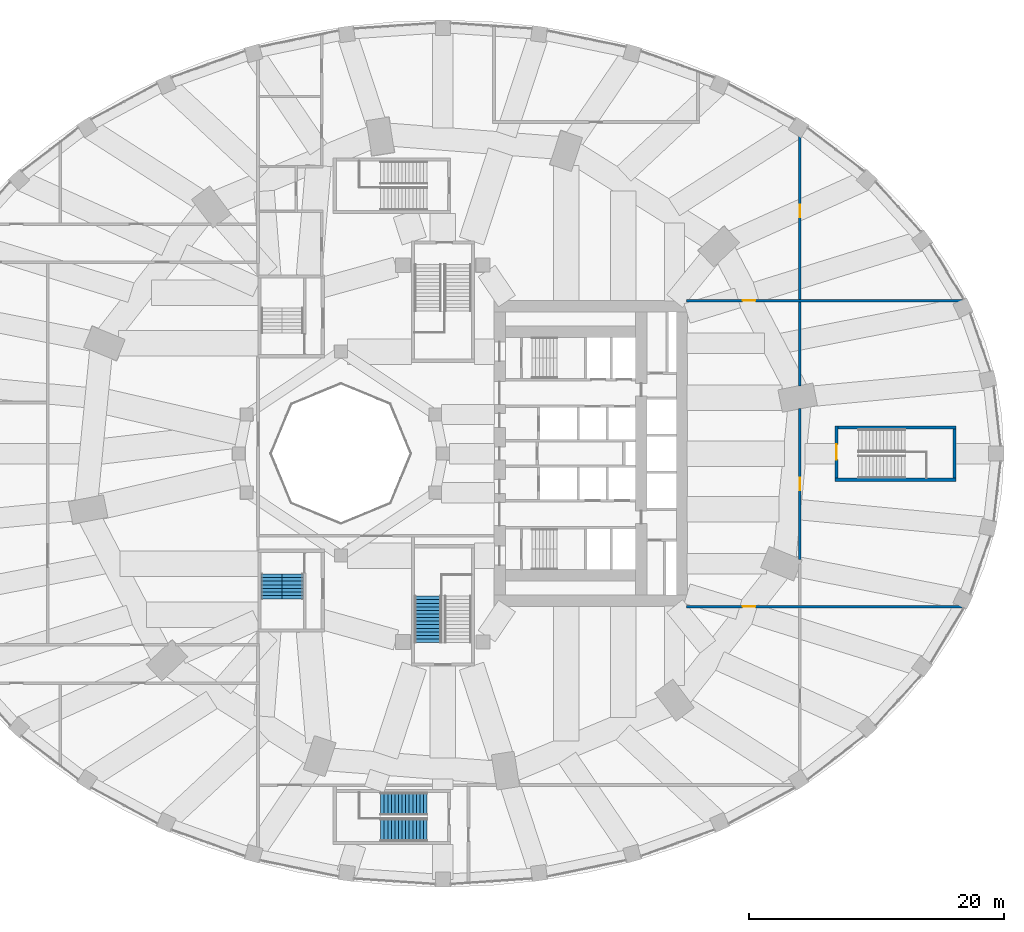
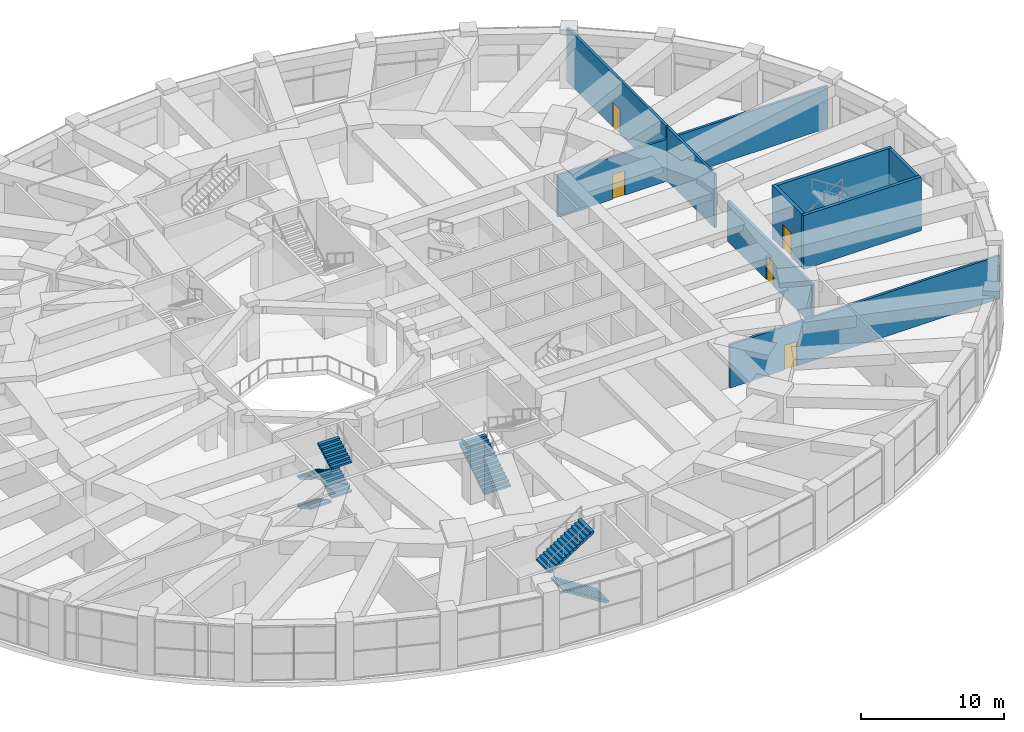
# One storey, part 25 of 32: 9 walls, 7 stair flights, 5 doors, 5 openings, 3 elements without a shape of their own.
"""IFC4 building model written with IfcOpenShell, lengths in metres."""

from ifc_helpers import new_model, si_unit, direction, frame, frame_2d, origin, place, context, subcontext, project, spatial, polyline, rectangle, outline, extrude, material, layer, layer_set, type_object, element, fill, aggregate, save


model = new_model("IFC4")

# Units and contexts
model_context = context("Model", 3, precision=1e-05, world=origin(), true_north=direction((0.0, 1.0)))
body_context = subcontext(model_context, "Body", "Model", "MODEL_VIEW")
ifc_project = project(units=[si_unit("LENGTHUNIT", "METRE"), si_unit("AREAUNIT", "SQUARE_METRE"), si_unit("VOLUMEUNIT", "CUBIC_METRE"), si_unit("PLANEANGLEUNIT", "RADIAN"), si_unit("MASSUNIT", "GRAM", prefix="KILO")], contexts=[model_context])

# Site, building, storey
site_placement = place(None, origin())
site = spatial("IfcSite", under=ifc_project, at=site_placement, CompositionType="ELEMENT")
building_placement = place(site_placement, origin())
building = spatial("IfcBuilding", under=site, at=building_placement, Name="Taillehof Tower", CompositionType="ELEMENT")
storey_placement = place(building_placement, frame((0.0, 0.0, 7.5)))
storey = spatial("IfcBuildingStorey", under=building, at=storey_placement, Name="L01", CompositionType="ELEMENT", Elevation=7.5)

# Wall, opening, door
ifc_material_1 = material(Name="Calcium silicate blockwork", Category="masonry")
ifc_layer_1 = layer(ifc_material_1, 0.199951171875)
ifc_layer_set_1 = layer_set([ifc_layer_1], Name="Compartment wall EI 60 200 mm")
wall_type_1 = type_object("IfcWallType", Name="Compartment wall EI 60 200 mm", PredefinedType="PARTITIONING", material=ifc_layer_set_1)
wall_1_placement = place(storey_placement, frame((19.10009765625, -12.0, 0.0), z_axis=(0.0, 0.0, 1.0), x_axis=(1.0, 0.0, 0.0)))
wall_1 = element("IfcWall", 1, at=wall_1_placement, inside=storey, type_object=wall_type_1, Name="Wall L01-10 / L01-17", PredefinedType="PARTITIONING", context=body_context, shape_type="SweptSolid", body=[
    extrude(rectangle(XDim=21.766845703125, YDim=0.199951171875, at=frame_2d((10.88330078125, 0.0))), origin(), (0.0, 0.0, 1.0), 3.68994140625),
])
opening_1_placement = place(wall_1_placement, frame((4.39990234375, 0.0, 0.0)))
opening_1 = element("IfcOpeningElement", 2, at=opening_1_placement, cuts=wall_1, Name="Opening D0149", PredefinedType="OPENING", context=body_context, shape_type="SweptSolid", body=[
    extrude(rectangle(XDim=1.0, YDim=2.10009765625, at=frame_2d((0.5, 1.050048828125))), frame((0.0, 0.10986328125, 0.0), z_axis=(0.0, -1.0, 0.0), x_axis=(1.0, 0.0, 0.0)), (0.0, 0.0, 1.0), 0.219970703125),
])
ifc_material_2 = material(Name="Hollow metal door set")
door_type_1 = type_object("IfcDoorType", Name="Single door 1000 x 2100 FD60S", OperationType="SINGLE_SWING_LEFT", PredefinedType="DOOR", material=ifc_material_2)
door_1_placement = place(opening_1_placement, origin())
door_1 = element("IfcDoor", 3, at=door_1_placement, inside=storey, type_object=door_type_1, Name="Door D0149", OperationType="SINGLE_SWING_RIGHT", OverallHeight=2.10009765625, OverallWidth=1.0, PredefinedType="DOOR", context=body_context, shape_type="SweptSolid", body=[
    extrude(rectangle(XDim=1.0, YDim=2.10009765625, at=frame_2d((0.5, 1.050048828125))), frame((0.0, 0.02490234375, 0.0), z_axis=(0.0, -1.0, 0.0), x_axis=(1.0, 0.0, 0.0)), (0.0, 0.0, 1.0), 0.050048828125),
])
fill(opening_1, door_1)

wall_2_placement = place(storey_placement, frame((19.10009765625, 12.0, 0.0), z_axis=(0.0, 0.0, 1.0), x_axis=(1.0, 0.0, 0.0)))
wall_2 = element("IfcWall", 4, at=wall_2_placement, inside=storey, type_object=wall_type_1, Name="Wall L01-10 / L01-27", PredefinedType="PARTITIONING", context=body_context, shape_type="SweptSolid", body=[
    extrude(rectangle(XDim=21.766845703125, YDim=0.199951171875, at=frame_2d((10.88330078125, 0.0))), origin(), (0.0, 0.0, 1.0), 3.590087890625),
])
opening_2_placement = place(wall_2_placement, frame((4.39990234375, 0.0, 0.0)))
opening_2 = element("IfcOpeningElement", 5, at=opening_2_placement, cuts=wall_2, Name="Opening D0156", PredefinedType="OPENING", context=body_context, shape_type="SweptSolid", body=[
    extrude(rectangle(XDim=1.0, YDim=2.10009765625, at=frame_2d((0.5, 1.050048828125))), frame((0.0, 0.10986328125, 0.0), z_axis=(0.0, -1.0, 0.0), x_axis=(1.0, 0.0, 0.0)), (0.0, 0.0, 1.0), 0.219970703125),
])
door_2_placement = place(opening_2_placement, origin())
door_2 = element("IfcDoor", 6, at=door_2_placement, inside=storey, type_object=door_type_1, Name="Door D0156", OperationType="SINGLE_SWING_LEFT", OverallHeight=2.10009765625, OverallWidth=1.0, PredefinedType="DOOR", context=body_context, shape_type="SweptSolid", body=[
    extrude(rectangle(XDim=1.0, YDim=2.10009765625, at=frame_2d((0.5, 1.050048828125))), frame((0.0, 0.02490234375, 0.0), z_axis=(0.0, -1.0, 0.0), x_axis=(1.0, 0.0, 0.0)), (0.0, 0.0, 1.0), 0.050048828125),
])
fill(opening_2, door_2)

wall_3_placement = place(storey_placement, frame((28.0, -8.297607421875, 0.0), z_axis=(0.0, 0.0, 1.0), x_axis=(0.0, 1.0, 0.0)))
wall_3 = element("IfcWall", 7, at=wall_3_placement, inside=storey, type_object=wall_type_1, Name="Wall L01-10 / L01-11", PredefinedType="PARTITIONING", context=body_context, shape_type="SweptSolid", body=[
    extrude(rectangle(XDim=11.822021484375, YDim=0.199951171875, at=frame_2d((5.9111328125, 0.0))), origin(), (0.0, 0.0, 1.0), 3.43994140625),
])
opening_3_placement = place(wall_3_placement, frame((5.41064453125, 0.0, 0.0)))
opening_3 = element("IfcOpeningElement", 8, at=opening_3_placement, cuts=wall_3, Name="Opening D0152", PredefinedType="OPENING", context=body_context, shape_type="SweptSolid", body=[
    extrude(rectangle(XDim=1.0, YDim=2.10009765625, at=frame_2d((0.5, 1.050048828125))), frame((0.0, 0.10986328125, 0.0), z_axis=(0.0, -1.0, 0.0), x_axis=(1.0, 0.0, 0.0)), (0.0, 0.0, 1.0), 0.219970703125),
])
door_3_placement = place(opening_3_placement, origin())
door_3 = element("IfcDoor", 9, at=door_3_placement, inside=storey, type_object=door_type_1, Name="Door D0152", OperationType="SINGLE_SWING_RIGHT", OverallHeight=2.10009765625, OverallWidth=1.0, PredefinedType="DOOR", context=body_context, shape_type="SweptSolid", body=[
    extrude(rectangle(XDim=1.0, YDim=2.10009765625, at=frame_2d((0.5, 1.050048828125))), frame((0.0, 0.02490234375, 0.0), z_axis=(0.0, -1.0, 0.0), x_axis=(1.0, 0.0, 0.0)), (0.0, 0.0, 1.0), 0.050048828125),
])
fill(opening_3, door_3)

# Wall
wall_4_placement = place(storey_placement, frame((28.0, 5.3154296875, 0.0), z_axis=(0.0, 0.0, 1.0), x_axis=(0.0, 1.0, 0.0)))
element("IfcWall", 10, at=wall_4_placement, inside=storey, type_object=wall_type_1, Name="Wall L01-10 / L01-11", PredefinedType="PARTITIONING", context=body_context, shape_type="SweptSolid", body=[
    extrude(rectangle(XDim=6.58447265625, YDim=0.199951171875, at=frame_2d((3.292236328125, 0.0))), origin(), (0.0, 0.0, 1.0), 4.590087890625),
])

# Wall, opening, door
wall_5_placement = place(storey_placement, frame((28.0, 12.10009765625, 0.0), z_axis=(0.0, 0.0, 1.0), x_axis=(0.0, 1.0, 0.0)))
wall_5 = element("IfcWall", 11, at=wall_5_placement, inside=storey, type_object=wall_type_1, Name="Wall L01-12 / L01-27", PredefinedType="PARTITIONING", context=body_context, shape_type="SweptSolid", body=[
    extrude(rectangle(XDim=13.831787109375, YDim=0.199951171875, at=frame_2d((6.916015625, 0.0))), origin(), (0.0, 0.0, 1.0), 4.590087890625),
])
opening_4_placement = place(wall_5_placement, frame((6.416015625, 0.0, 0.0)))
opening_4 = element("IfcOpeningElement", 12, at=opening_4_placement, cuts=wall_5, Name="Opening D0163", PredefinedType="OPENING", context=body_context, shape_type="SweptSolid", body=[
    extrude(rectangle(XDim=1.0, YDim=2.10009765625, at=frame_2d((0.5, 1.050048828125))), frame((0.0, 0.10986328125, 0.0), z_axis=(0.0, -1.0, 0.0), x_axis=(1.0, 0.0, 0.0)), (0.0, 0.0, 1.0), 0.219970703125),
])
door_4_placement = place(opening_4_placement, origin())
door_4 = element("IfcDoor", 13, at=door_4_placement, inside=storey, type_object=door_type_1, Name="Door D0163", OperationType="SINGLE_SWING_LEFT", OverallHeight=2.10009765625, OverallWidth=1.0, PredefinedType="DOOR", context=body_context, shape_type="SweptSolid", body=[
    extrude(rectangle(XDim=1.0, YDim=2.10009765625, at=frame_2d((0.5, 1.050048828125))), frame((0.0, 0.02490234375, 0.0), z_axis=(0.0, -1.0, 0.0), x_axis=(1.0, 0.0, 0.0)), (0.0, 0.0, 1.0), 0.050048828125),
])
fill(opening_4, door_4)

# Walls
ifc_material_3 = material(Name="Concrete C40/50", Category="concrete")
ifc_layer_2 = layer(ifc_material_3, 0.25)
ifc_layer_set_2 = layer_set([ifc_layer_2], Name="Stair wall EI 120 250 mm")
wall_type_2 = type_object("IfcWallType", Name="Stair wall EI 120 250 mm", PredefinedType="SOLIDWALL", material=ifc_layer_set_2)
wall_6_placement = place(storey_placement, frame((30.75, -2.050048828125, 0.0), z_axis=(0.0, 0.0, 1.0), x_axis=(1.0, 0.0, 0.0)))
element("IfcWall", 14, at=wall_6_placement, inside=storey, type_object=wall_type_2, Name="Wall L01-05 / L01-11", PredefinedType="SOLIDWALL", context=body_context, shape_type="SweptSolid", body=[
    extrude(rectangle(XDim=9.5, YDim=0.25, at=frame_2d((4.75, 0.0))), origin(), (0.0, 0.0, 1.0), 4.590087890625),
])
wall_7_placement = place(storey_placement, frame((31.0, 2.050048828125, 0.0), z_axis=(0.0, 0.0, 1.0), x_axis=(1.0, 0.0, 0.0)))
element("IfcWall", 15, at=wall_7_placement, inside=storey, type_object=wall_type_2, Name="Wall L01-05 / L01-11", PredefinedType="SOLIDWALL", context=body_context, shape_type="SweptSolid", body=[
    extrude(rectangle(XDim=9.25, YDim=0.25, at=frame_2d((4.625, 0.0))), origin(), (0.0, 0.0, 1.0), 4.590087890625),
])

# Wall, opening, door
wall_8_placement = place(storey_placement, frame((30.875, -1.925048828125, 0.0), z_axis=(0.0, 0.0, 1.0), x_axis=(0.0, 1.0, 0.0)))
wall_8 = element("IfcWall", 16, at=wall_8_placement, inside=storey, type_object=wall_type_2, Name="Wall L01-05 / L01-11", PredefinedType="SOLIDWALL", context=body_context, shape_type="SweptSolid", body=[
    extrude(rectangle(XDim=4.10009765625, YDim=0.25, at=frame_2d((2.050048828125, 0.0))), origin(), (0.0, 0.0, 1.0), 4.590087890625),
])
opening_5_placement = place(wall_8_placement, frame((1.449951171875, 0.0, 0.0)))
opening_5 = element("IfcOpeningElement", 17, at=opening_5_placement, cuts=wall_8, Name="Opening D0153", PredefinedType="OPENING", context=body_context, shape_type="SweptSolid", body=[
    extrude(rectangle(XDim=1.199951171875, YDim=2.10009765625, at=frame_2d((0.60009765625, 1.050048828125))), frame((0.0, 0.135009765625, 0.0), z_axis=(0.0, -1.0, 0.0), x_axis=(1.0, 0.0, 0.0)), (0.0, 0.0, 1.0), 0.27001953125),
])
ifc_material_4 = material(Name="Hollow metal door set")
door_type_2 = type_object("IfcDoorType", Name="Single door 1200 x 2100 FD120S", OperationType="SINGLE_SWING_LEFT", PredefinedType="DOOR", material=ifc_material_4)
door_5_placement = place(opening_5_placement, origin())
door_5 = element("IfcDoor", 18, at=door_5_placement, inside=storey, type_object=door_type_2, Name="Door D0153", OperationType="SINGLE_SWING_RIGHT", OverallHeight=2.10009765625, OverallWidth=1.199951171875, PredefinedType="DOOR", context=body_context, shape_type="SweptSolid", body=[
    extrude(rectangle(XDim=1.199951171875, YDim=2.10009765625, at=frame_2d((0.60009765625, 1.050048828125))), frame((0.0, 0.02490234375, 0.0), z_axis=(0.0, -1.0, 0.0), x_axis=(1.0, 0.0, 0.0)), (0.0, 0.0, 1.0), 0.050048828125),
])
fill(opening_5, door_5)

# Wall
wall_9_placement = place(storey_placement, frame((40.125, -1.925048828125, 0.0), z_axis=(0.0, 0.0, 1.0), x_axis=(0.0, 1.0, 0.0)))
element("IfcWall", 19, at=wall_9_placement, inside=storey, type_object=wall_type_2, Name="Wall L01-05 / L01-11", PredefinedType="SOLIDWALL", context=body_context, shape_type="SweptSolid", body=[
    extrude(rectangle(XDim=3.85009765625, YDim=0.25, at=frame_2d((1.925048828125, 0.0))), origin(), (0.0, 0.0, 1.0), 4.590087890625),
])

# Stair, stair flights
ifc_material_5 = material(Name="Concrete C40/50", Category="concrete")
stair_type_1 = type_object("IfcStairType", Name="Exit stair half-turn", PredefinedType="HALF_TURN_STAIR", material=ifc_material_5)
stair_1_placement = place(storey_placement, origin())
stair_1 = element("IfcStair", 20, at=stair_1_placement, inside=storey, type_object=stair_type_1, Name="Exit stair S4", PredefinedType="HALF_TURN_STAIR")
ifc_material_6 = material(Name="Concrete C40/50", Category="concrete")
stair_flight_type_1 = type_object("IfcStairFlightType", Name="Stair flight 1650 riser 156.2 going 280", PredefinedType="STRAIGHT", material=ifc_material_6)
stair_flight_1_placement = place(storey_placement, frame((-13.425048828125, -9.449951171875, 0.0), z_axis=(0.0, 0.0, 1.0), x_axis=(0.0, -1.0, 0.0)))
stair_flight_1 = element("IfcStairFlight", 21, at=stair_flight_1_placement, type_object=stair_flight_type_1, Name="S4 flight 1", NumberOfRisers=8, NumberOfTreads=7, PredefinedType="STRAIGHT", RiserHeight=0.15625, TreadLength=0.28, context=body_context, shape_type="SweptSolid", body=[
    extrude(outline(polyline([(0.0, 0.0), (0.0, 0.00634765625), (0.0, 0.012451171875), (0.0, 0.018798828125), (0.0, 0.02490234375), (0.0, 0.03125), (0.0, 0.03759765625), (0.0, 0.043701171875), (0.0, 0.050048828125), (0.0, 0.05615234375), (0.0, 0.0625), (0.0, 0.06884765625), (0.0, 0.074951171875), (0.0, 0.081298828125), (0.0, 0.08740234375), (0.0, 0.09375), (0.0, 0.10009765625), (0.0, 0.106201171875), (0.0, 0.112548828125), (0.0, 0.11865234375), (0.0, 0.125), (0.0, 0.13134765625), (0.0, 0.137451171875), (0.0, 0.143798828125), (0.0, 0.14990234375), (0.0, 0.15625), (0.280029296875, 0.15625), (0.280029296875, 0.3125), (0.56005859375, 0.3125), (0.56005859375, 0.46875), (0.840087890625, 0.46875), (0.840087890625, 0.625), (1.1201171875, 0.625), (1.1201171875, 0.78125), (1.39990234375, 0.78125), (1.39990234375, 0.9375), (1.679931640625, 0.9375), (1.679931640625, 1.09375), (1.9599609375, 1.09375), (1.9599609375, 1.0869140625), (1.9599609375, 1.080078125), (1.9599609375, 1.0732421875), (1.9599609375, 1.066162109375), (1.9599609375, 1.059326171875), (1.9599609375, 1.052490234375), (1.9599609375, 1.045654296875), (1.9599609375, 1.038818359375), (1.9599609375, 1.031982421875), (1.9599609375, 1.025146484375), (1.9599609375, 1.018310546875), (1.9599609375, 1.01123046875), (1.9599609375, 1.00439453125), (1.9599609375, 0.99755859375), (1.9599609375, 0.99072265625), (1.9599609375, 0.98388671875), (1.9599609375, 0.97705078125), (1.9599609375, 0.97021484375), (1.9599609375, 0.96337890625), (1.9599609375, 0.956298828125), (1.9599609375, 0.949462890625), (1.9599609375, 0.942626953125), (1.9599609375, 0.935791015625), (1.9599609375, 0.928955078125), (1.9599609375, 0.922119140625), (0.3076171875, 0.0), (0.0, 0.0)])), frame((0.0, 0.824951171875, 0.0), z_axis=(0.0, -1.0, 0.0), x_axis=(1.0, 0.0, 0.0)), (0.0, 0.0, 1.0), 1.65),
])
stair_flight_2_placement = place(storey_placement, frame((-11.77490234375, -11.409912109375, 1.25), z_axis=(0.0, 0.0, 1.0), x_axis=(0.0, 1.0, 0.0)))
stair_flight_2 = element("IfcStairFlight", 22, at=stair_flight_2_placement, type_object=stair_flight_type_1, Name="S4 flight 2", NumberOfRisers=8, NumberOfTreads=7, PredefinedType="STRAIGHT", RiserHeight=0.15625, TreadLength=0.28, context=body_context, shape_type="SweptSolid", body=[
    extrude(outline(polyline([(0.0, 0.0), (0.0, 0.00634765625), (0.0, 0.012451171875), (0.0, 0.018798828125), (0.0, 0.02490234375), (0.0, 0.03125), (0.0, 0.03759765625), (0.0, 0.043701171875), (0.0, 0.050048828125), (0.0, 0.05615234375), (0.0, 0.0625), (0.0, 0.06884765625), (0.0, 0.074951171875), (0.0, 0.081298828125), (0.0, 0.08740234375), (0.0, 0.09375), (0.0, 0.10009765625), (0.0, 0.106201171875), (0.0, 0.112548828125), (0.0, 0.11865234375), (0.0, 0.125), (0.0, 0.13134765625), (0.0, 0.137451171875), (0.0, 0.143798828125), (0.0, 0.14990234375), (0.0, 0.15625), (0.280029296875, 0.15625), (0.280029296875, 0.3125), (0.56005859375, 0.3125), (0.56005859375, 0.46875), (0.840087890625, 0.46875), (0.840087890625, 0.625), (1.1201171875, 0.625), (1.1201171875, 0.78125), (1.39990234375, 0.78125), (1.39990234375, 0.9375), (1.679931640625, 0.9375), (1.679931640625, 1.09375), (1.9599609375, 1.09375), (1.9599609375, 1.0869140625), (1.9599609375, 1.080078125), (1.9599609375, 1.0732421875), (1.9599609375, 1.066162109375), (1.9599609375, 1.059326171875), (1.9599609375, 1.052490234375), (1.9599609375, 1.045654296875), (1.9599609375, 1.038818359375), (1.9599609375, 1.031982421875), (1.9599609375, 1.025146484375), (1.9599609375, 1.018310546875), (1.9599609375, 1.01123046875), (1.9599609375, 1.00439453125), (1.9599609375, 0.99755859375), (1.9599609375, 0.99072265625), (1.9599609375, 0.98388671875), (1.9599609375, 0.97705078125), (1.9599609375, 0.97021484375), (1.9599609375, 0.96337890625), (1.9599609375, 0.956298828125), (1.9599609375, 0.949462890625), (1.9599609375, 0.942626953125), (1.9599609375, 0.935791015625), (1.9599609375, 0.928955078125), (1.9599609375, 0.922119140625), (0.3076171875, 0.0), (0.0, 0.0)])), frame((0.0, 0.824951171875, 0.0), z_axis=(0.0, -1.0, 0.0), x_axis=(1.0, 0.0, 0.0)), (0.0, 0.0, 1.0), 1.65),
])
stair_flight_3_placement = place(storey_placement, frame((-13.425048828125, -9.449951171875, 2.5), z_axis=(0.0, 0.0, 1.0), x_axis=(0.0, -1.0, 0.0)))
stair_flight_3 = element("IfcStairFlight", 23, at=stair_flight_3_placement, type_object=stair_flight_type_1, Name="S4 flight 3", NumberOfRisers=8, NumberOfTreads=7, PredefinedType="STRAIGHT", RiserHeight=0.15625, TreadLength=0.28, context=body_context, shape_type="SweptSolid", body=[
    extrude(outline(polyline([(0.0, 0.0), (0.0, 0.00634765625), (0.0, 0.012451171875), (0.0, 0.018798828125), (0.0, 0.02490234375), (0.0, 0.03125), (0.0, 0.03759765625), (0.0, 0.043701171875), (0.0, 0.050048828125), (0.0, 0.05615234375), (0.0, 0.0625), (0.0, 0.06884765625), (0.0, 0.074951171875), (0.0, 0.081298828125), (0.0, 0.08740234375), (0.0, 0.09375), (0.0, 0.10009765625), (0.0, 0.106201171875), (0.0, 0.112548828125), (0.0, 0.11865234375), (0.0, 0.125), (0.0, 0.13134765625), (0.0, 0.137451171875), (0.0, 0.143798828125), (0.0, 0.14990234375), (0.0, 0.15625), (0.280029296875, 0.15625), (0.280029296875, 0.3125), (0.56005859375, 0.3125), (0.56005859375, 0.46875), (0.840087890625, 0.46875), (0.840087890625, 0.625), (1.1201171875, 0.625), (1.1201171875, 0.78125), (1.39990234375, 0.78125), (1.39990234375, 0.9375), (1.679931640625, 0.9375), (1.679931640625, 1.09375), (1.9599609375, 1.09375), (1.9599609375, 1.0869140625), (1.9599609375, 1.080078125), (1.9599609375, 1.0732421875), (1.9599609375, 1.066162109375), (1.9599609375, 1.059326171875), (1.9599609375, 1.052490234375), (1.9599609375, 1.045654296875), (1.9599609375, 1.038818359375), (1.9599609375, 1.031982421875), (1.9599609375, 1.025146484375), (1.9599609375, 1.018310546875), (1.9599609375, 1.01123046875), (1.9599609375, 1.00439453125), (1.9599609375, 0.99755859375), (1.9599609375, 0.99072265625), (1.9599609375, 0.98388671875), (1.9599609375, 0.97705078125), (1.9599609375, 0.97021484375), (1.9599609375, 0.96337890625), (1.9599609375, 0.956298828125), (1.9599609375, 0.949462890625), (1.9599609375, 0.942626953125), (1.9599609375, 0.935791015625), (1.9599609375, 0.928955078125), (1.9599609375, 0.922119140625), (0.3076171875, 0.0), (0.0, 0.0)])), frame((0.0, 0.824951171875, 0.0), z_axis=(0.0, -1.0, 0.0), x_axis=(1.0, 0.0, 0.0)), (0.0, 0.0, 1.0), 1.65),
])
stair_flight_4_placement = place(storey_placement, frame((-11.77490234375, -11.409912109375, 3.75), z_axis=(0.0, 0.0, 1.0), x_axis=(0.0, 1.0, 0.0)))
stair_flight_4 = element("IfcStairFlight", 24, at=stair_flight_4_placement, type_object=stair_flight_type_1, Name="S4 flight 4", NumberOfRisers=8, NumberOfTreads=7, PredefinedType="STRAIGHT", RiserHeight=0.15625, TreadLength=0.28, context=body_context, shape_type="SweptSolid", body=[
    extrude(outline(polyline([(0.0, 0.0), (0.0, 0.00634765625), (0.0, 0.012451171875), (0.0, 0.018798828125), (0.0, 0.02490234375), (0.0, 0.03125), (0.0, 0.03759765625), (0.0, 0.043701171875), (0.0, 0.050048828125), (0.0, 0.05615234375), (0.0, 0.0625), (0.0, 0.06884765625), (0.0, 0.074951171875), (0.0, 0.081298828125), (0.0, 0.08740234375), (0.0, 0.09375), (0.0, 0.10009765625), (0.0, 0.106201171875), (0.0, 0.112548828125), (0.0, 0.11865234375), (0.0, 0.125), (0.0, 0.13134765625), (0.0, 0.137451171875), (0.0, 0.143798828125), (0.0, 0.14990234375), (0.0, 0.15625), (0.280029296875, 0.15625), (0.280029296875, 0.3125), (0.56005859375, 0.3125), (0.56005859375, 0.46875), (0.840087890625, 0.46875), (0.840087890625, 0.625), (1.1201171875, 0.625), (1.1201171875, 0.78125), (1.39990234375, 0.78125), (1.39990234375, 0.9375), (1.679931640625, 0.9375), (1.679931640625, 1.09375), (1.9599609375, 1.09375), (1.9599609375, 1.0869140625), (1.9599609375, 1.080078125), (1.9599609375, 1.0732421875), (1.9599609375, 1.066162109375), (1.9599609375, 1.059326171875), (1.9599609375, 1.052490234375), (1.9599609375, 1.045654296875), (1.9599609375, 1.038818359375), (1.9599609375, 1.031982421875), (1.9599609375, 1.025146484375), (1.9599609375, 1.018310546875), (1.9599609375, 1.01123046875), (1.9599609375, 1.00439453125), (1.9599609375, 0.99755859375), (1.9599609375, 0.99072265625), (1.9599609375, 0.98388671875), (1.9599609375, 0.97705078125), (1.9599609375, 0.97021484375), (1.9599609375, 0.96337890625), (1.9599609375, 0.956298828125), (1.9599609375, 0.949462890625), (1.9599609375, 0.942626953125), (1.9599609375, 0.935791015625), (1.9599609375, 0.928955078125), (1.9599609375, 0.922119140625), (0.3076171875, 0.0), (0.0, 0.0)])), frame((0.0, 0.824951171875, 0.0), z_axis=(0.0, -1.0, 0.0), x_axis=(1.0, 0.0, 0.0)), (0.0, 0.0, 1.0), 1.65),
])
aggregate(stair_1, [stair_flight_1, stair_flight_2, stair_flight_3, stair_flight_4])

ifc_material_7 = material(Name="Concrete C30/37", Category="concrete")
stair_type_2 = type_object("IfcStairType", Name="Escape stair 1800 mm", PredefinedType="HALF_TURN_STAIR", material=ifc_material_7)
stair_2_placement = place(storey_placement, origin())
stair_2 = element("IfcStair", 25, at=stair_2_placement, inside=storey, type_object=stair_type_2, Name="Escape stair P4", PredefinedType="HALF_TURN_STAIR")
ifc_material_8 = material(Name="Concrete C30/37", Category="concrete")
stair_flight_type_2 = type_object("IfcStairFlightType", Name="Stair flight 1800 mm", PredefinedType="STRAIGHT", material=ifc_material_8)
stair_flight_5_placement = place(storey_placement, frame((-1.239990234375, -29.52490234375, 0.0), z_axis=(0.0, 0.0, 1.0), x_axis=(-1.0, 0.0, 0.0)))
stair_flight_5 = element("IfcStairFlight", 26, at=stair_flight_5_placement, type_object=stair_flight_type_2, Name="P4 flight 1", NumberOfRisers=14, NumberOfTreads=13, PredefinedType="STRAIGHT", RiserHeight=0.178571429, TreadLength=0.28, context=body_context, shape_type="SweptSolid", body=[
    extrude(outline(polyline([(0.0, 0.0), (0.0, 0.004150390625), (0.0, 0.00830078125), (0.0, 0.012451171875), (0.0, 0.0166015625), (0.0, 0.020751953125), (0.0, 0.02490234375), (0.0, 0.029052734375), (0.0, 0.033203125), (0.0, 0.037353515625), (0.0, 0.04150390625), (0.0, 0.045654296875), (0.0, 0.0498046875), (0.0, 0.053955078125), (0.0, 0.05810546875), (0.0, 0.062255859375), (0.0, 0.06640625), (0.0, 0.070556640625), (0.0, 0.07470703125), (0.0, 0.078857421875), (0.0, 0.0830078125), (0.0, 0.087158203125), (0.0, 0.09130859375), (0.0, 0.095458984375), (0.0, 0.099609375), (0.0, 0.103759765625), (0.0, 0.10791015625), (0.0, 0.112060546875), (0.0, 0.1162109375), (0.0, 0.120361328125), (0.0, 0.12451171875), (0.0, 0.128662109375), (0.0, 0.1328125), (0.0, 0.136962890625), (0.0, 0.14111328125), (0.0, 0.145263671875), (0.0, 0.1494140625), (0.0, 0.153564453125), (0.0, 0.15771484375), (0.0, 0.161865234375), (0.0, 0.166015625), (0.0, 0.170166015625), (0.0, 0.17431640625), (0.0, 0.178466796875), (0.280029296875, 0.178466796875), (0.280029296875, 0.357177734375), (0.56005859375, 0.357177734375), (0.56005859375, 0.53564453125), (0.840087890625, 0.53564453125), (0.840087890625, 0.71435546875), (1.1201171875, 0.71435546875), (1.1201171875, 0.892822265625), (1.39990234375, 0.892822265625), (1.39990234375, 1.071533203125), (1.679931640625, 1.071533203125), (1.679931640625, 1.25), (1.9599609375, 1.25), (1.9599609375, 1.428466796875), (2.239990234375, 1.428466796875), (2.239990234375, 1.607177734375), (2.52001953125, 1.607177734375), (2.52001953125, 1.78564453125), (2.800048828125, 1.78564453125), (2.800048828125, 1.96435546875), (3.080078125, 1.96435546875), (3.080078125, 2.142822265625), (3.360107421875, 2.142822265625), (3.360107421875, 2.321533203125), (3.639892578125, 2.321533203125), (3.639892578125, 2.3173828125), (3.639892578125, 2.313232421875), (3.639892578125, 2.30908203125), (3.639892578125, 2.304931640625), (3.639892578125, 2.30078125), (3.639892578125, 2.296630859375), (3.639892578125, 2.29248046875), (3.639892578125, 2.288330078125), (3.639892578125, 2.2841796875), (3.639892578125, 2.280029296875), (3.639892578125, 2.27587890625), (3.639892578125, 2.271728515625), (3.639892578125, 2.267578125), (3.639892578125, 2.263427734375), (3.639892578125, 2.259521484375), (3.639892578125, 2.25537109375), (3.639892578125, 2.251220703125), (3.639892578125, 2.2470703125), (3.639892578125, 2.242919921875), (3.639892578125, 2.23876953125), (3.639892578125, 2.234619140625), (3.639892578125, 2.23046875), (3.639892578125, 2.226318359375), (3.639892578125, 2.22216796875), (3.639892578125, 2.218017578125), (3.639892578125, 2.2138671875), (3.639892578125, 2.209716796875), (3.639892578125, 2.20556640625), (3.639892578125, 2.201416015625), (3.639892578125, 2.197265625), (3.639892578125, 2.193359375), (3.639892578125, 2.189208984375), (3.639892578125, 2.18505859375), (3.639892578125, 2.180908203125), (3.639892578125, 2.1767578125), (3.639892578125, 2.172607421875), (3.639892578125, 2.16845703125), (3.639892578125, 2.164306640625), (3.639892578125, 2.16015625), (3.639892578125, 2.156005859375), (3.639892578125, 2.15185546875), (3.639892578125, 2.147705078125), (3.639892578125, 2.1435546875), (0.27880859375, 0.0), (0.0, 0.0)])), frame((0.0, 0.89990234375, 0.0), z_axis=(0.0, -1.0, 0.0), x_axis=(1.0, 0.0, 0.0)), (0.0, 0.0, 1.0), 1.8),
])
stair_flight_6_placement = place(storey_placement, frame((-4.8798828125, -27.47509765625, 2.5), z_axis=(0.0, 0.0, 1.0), x_axis=(1.0, 0.0, 0.0)))
stair_flight_6 = element("IfcStairFlight", 27, at=stair_flight_6_placement, type_object=stair_flight_type_2, Name="P4 flight 2", NumberOfRisers=14, NumberOfTreads=13, PredefinedType="STRAIGHT", RiserHeight=0.178571429, TreadLength=0.28, context=body_context, shape_type="SweptSolid", body=[
    extrude(outline(polyline([(0.0, 0.0), (0.0, 0.004150390625), (0.0, 0.00830078125), (0.0, 0.012451171875), (0.0, 0.0166015625), (0.0, 0.020751953125), (0.0, 0.02490234375), (0.0, 0.029052734375), (0.0, 0.033203125), (0.0, 0.037353515625), (0.0, 0.04150390625), (0.0, 0.045654296875), (0.0, 0.0498046875), (0.0, 0.053955078125), (0.0, 0.05810546875), (0.0, 0.062255859375), (0.0, 0.06640625), (0.0, 0.070556640625), (0.0, 0.07470703125), (0.0, 0.078857421875), (0.0, 0.0830078125), (0.0, 0.087158203125), (0.0, 0.09130859375), (0.0, 0.095458984375), (0.0, 0.099609375), (0.0, 0.103759765625), (0.0, 0.10791015625), (0.0, 0.112060546875), (0.0, 0.1162109375), (0.0, 0.120361328125), (0.0, 0.12451171875), (0.0, 0.128662109375), (0.0, 0.1328125), (0.0, 0.136962890625), (0.0, 0.14111328125), (0.0, 0.145263671875), (0.0, 0.1494140625), (0.0, 0.153564453125), (0.0, 0.15771484375), (0.0, 0.161865234375), (0.0, 0.166015625), (0.0, 0.170166015625), (0.0, 0.17431640625), (0.0, 0.178466796875), (0.280029296875, 0.178466796875), (0.280029296875, 0.357177734375), (0.56005859375, 0.357177734375), (0.56005859375, 0.53564453125), (0.840087890625, 0.53564453125), (0.840087890625, 0.71435546875), (1.1201171875, 0.71435546875), (1.1201171875, 0.892822265625), (1.39990234375, 0.892822265625), (1.39990234375, 1.071533203125), (1.679931640625, 1.071533203125), (1.679931640625, 1.25), (1.9599609375, 1.25), (1.9599609375, 1.428466796875), (2.239990234375, 1.428466796875), (2.239990234375, 1.607177734375), (2.52001953125, 1.607177734375), (2.52001953125, 1.78564453125), (2.800048828125, 1.78564453125), (2.800048828125, 1.96435546875), (3.080078125, 1.96435546875), (3.080078125, 2.142822265625), (3.360107421875, 2.142822265625), (3.360107421875, 2.321533203125), (3.639892578125, 2.321533203125), (3.639892578125, 2.3173828125), (3.639892578125, 2.313232421875), (3.639892578125, 2.30908203125), (3.639892578125, 2.304931640625), (3.639892578125, 2.30078125), (3.639892578125, 2.296630859375), (3.639892578125, 2.29248046875), (3.639892578125, 2.288330078125), (3.639892578125, 2.2841796875), (3.639892578125, 2.280029296875), (3.639892578125, 2.27587890625), (3.639892578125, 2.271728515625), (3.639892578125, 2.267578125), (3.639892578125, 2.263427734375), (3.639892578125, 2.259521484375), (3.639892578125, 2.25537109375), (3.639892578125, 2.251220703125), (3.639892578125, 2.2470703125), (3.639892578125, 2.242919921875), (3.639892578125, 2.23876953125), (3.639892578125, 2.234619140625), (3.639892578125, 2.23046875), (3.639892578125, 2.226318359375), (3.639892578125, 2.22216796875), (3.639892578125, 2.218017578125), (3.639892578125, 2.2138671875), (3.639892578125, 2.209716796875), (3.639892578125, 2.20556640625), (3.639892578125, 2.201416015625), (3.639892578125, 2.197265625), (3.639892578125, 2.193359375), (3.639892578125, 2.189208984375), (3.639892578125, 2.18505859375), (3.639892578125, 2.180908203125), (3.639892578125, 2.1767578125), (3.639892578125, 2.172607421875), (3.639892578125, 2.16845703125), (3.639892578125, 2.164306640625), (3.639892578125, 2.16015625), (3.639892578125, 2.156005859375), (3.639892578125, 2.15185546875), (3.639892578125, 2.147705078125), (3.639892578125, 2.1435546875), (0.27880859375, 0.0), (0.0, 0.0)])), frame((0.0, 0.89990234375, 0.0), z_axis=(0.0, -1.0, 0.0), x_axis=(1.0, 0.0, 0.0)), (0.0, 0.0, 1.0), 1.8),
])
aggregate(stair_2, [stair_flight_5, stair_flight_6])

# Stair, stair flight
ifc_material_9 = material(Name="Concrete C30/37", Category="concrete")
stair_type_3 = type_object("IfcStairType", Name="Escape stair 2100 mm", PredefinedType="HALF_TURN_STAIR", material=ifc_material_9)
stair_3_placement = place(storey_placement, origin())
stair_3 = element("IfcStair", 28, at=stair_3_placement, inside=storey, type_object=stair_type_3, Name="Escape stair P2", PredefinedType="HALF_TURN_STAIR")
ifc_material_10 = material(Name="Concrete C30/37", Category="concrete")
stair_flight_type_3 = type_object("IfcStairFlightType", Name="Stair flight 2100 mm", PredefinedType="STRAIGHT", material=ifc_material_10)
stair_flight_7_placement = place(storey_placement, frame((-1.175048828125, -14.820068359375, 0.0), z_axis=(0.0, 0.0, 1.0), x_axis=(0.0, 1.0, 0.0)))
stair_flight_7 = element("IfcStairFlight", 29, at=stair_flight_7_placement, type_object=stair_flight_type_3, Name="P2 flight 1", NumberOfRisers=14, NumberOfTreads=13, PredefinedType="STRAIGHT", RiserHeight=0.178571429, TreadLength=0.28, context=body_context, shape_type="SweptSolid", body=[
    extrude(outline(polyline([(0.0, 0.0), (0.0, 0.004150390625), (0.0, 0.00830078125), (0.0, 0.012451171875), (0.0, 0.0166015625), (0.0, 0.020751953125), (0.0, 0.02490234375), (0.0, 0.029052734375), (0.0, 0.033203125), (0.0, 0.037353515625), (0.0, 0.04150390625), (0.0, 0.045654296875), (0.0, 0.0498046875), (0.0, 0.053955078125), (0.0, 0.05810546875), (0.0, 0.062255859375), (0.0, 0.06640625), (0.0, 0.070556640625), (0.0, 0.07470703125), (0.0, 0.078857421875), (0.0, 0.0830078125), (0.0, 0.087158203125), (0.0, 0.09130859375), (0.0, 0.095458984375), (0.0, 0.099609375), (0.0, 0.103759765625), (0.0, 0.10791015625), (0.0, 0.112060546875), (0.0, 0.1162109375), (0.0, 0.120361328125), (0.0, 0.12451171875), (0.0, 0.128662109375), (0.0, 0.1328125), (0.0, 0.136962890625), (0.0, 0.14111328125), (0.0, 0.145263671875), (0.0, 0.1494140625), (0.0, 0.153564453125), (0.0, 0.15771484375), (0.0, 0.161865234375), (0.0, 0.166015625), (0.0, 0.170166015625), (0.0, 0.17431640625), (0.0, 0.178466796875), (0.280029296875, 0.178466796875), (0.280029296875, 0.357177734375), (0.56005859375, 0.357177734375), (0.56005859375, 0.53564453125), (0.840087890625, 0.53564453125), (0.840087890625, 0.71435546875), (1.1201171875, 0.71435546875), (1.1201171875, 0.892822265625), (1.39990234375, 0.892822265625), (1.39990234375, 1.071533203125), (1.679931640625, 1.071533203125), (1.679931640625, 1.25), (1.9599609375, 1.25), (1.9599609375, 1.428466796875), (2.239990234375, 1.428466796875), (2.239990234375, 1.607177734375), (2.52001953125, 1.607177734375), (2.52001953125, 1.78564453125), (2.800048828125, 1.78564453125), (2.800048828125, 1.96435546875), (3.080078125, 1.96435546875), (3.080078125, 2.142822265625), (3.360107421875, 2.142822265625), (3.360107421875, 2.321533203125), (3.639892578125, 2.321533203125), (3.639892578125, 2.3173828125), (3.639892578125, 2.313232421875), (3.639892578125, 2.30908203125), (3.639892578125, 2.304931640625), (3.639892578125, 2.30078125), (3.639892578125, 2.296630859375), (3.639892578125, 2.29248046875), (3.639892578125, 2.288330078125), (3.639892578125, 2.2841796875), (3.639892578125, 2.280029296875), (3.639892578125, 2.27587890625), (3.639892578125, 2.271728515625), (3.639892578125, 2.267578125), (3.639892578125, 2.263427734375), (3.639892578125, 2.259521484375), (3.639892578125, 2.25537109375), (3.639892578125, 2.251220703125), (3.639892578125, 2.2470703125), (3.639892578125, 2.242919921875), (3.639892578125, 2.23876953125), (3.639892578125, 2.234619140625), (3.639892578125, 2.23046875), (3.639892578125, 2.226318359375), (3.639892578125, 2.22216796875), (3.639892578125, 2.218017578125), (3.639892578125, 2.2138671875), (3.639892578125, 2.209716796875), (3.639892578125, 2.20556640625), (3.639892578125, 2.201416015625), (3.639892578125, 2.197265625), (3.639892578125, 2.193359375), (3.639892578125, 2.189208984375), (3.639892578125, 2.18505859375), (3.639892578125, 2.180908203125), (3.639892578125, 2.1767578125), (3.639892578125, 2.172607421875), (3.639892578125, 2.16845703125), (3.639892578125, 2.164306640625), (3.639892578125, 2.16015625), (3.639892578125, 2.156005859375), (3.639892578125, 2.15185546875), (3.639892578125, 2.147705078125), (3.639892578125, 2.1435546875), (0.27880859375, 0.0), (0.0, 0.0)])), frame((0.0, 1.050048828125, 0.0), z_axis=(0.0, -1.0, 0.0), x_axis=(1.0, 0.0, 0.0)), (0.0, 0.0, 1.0), 2.1),
])
aggregate(stair_3, [stair_flight_7])

save(model, "model.ifc")
